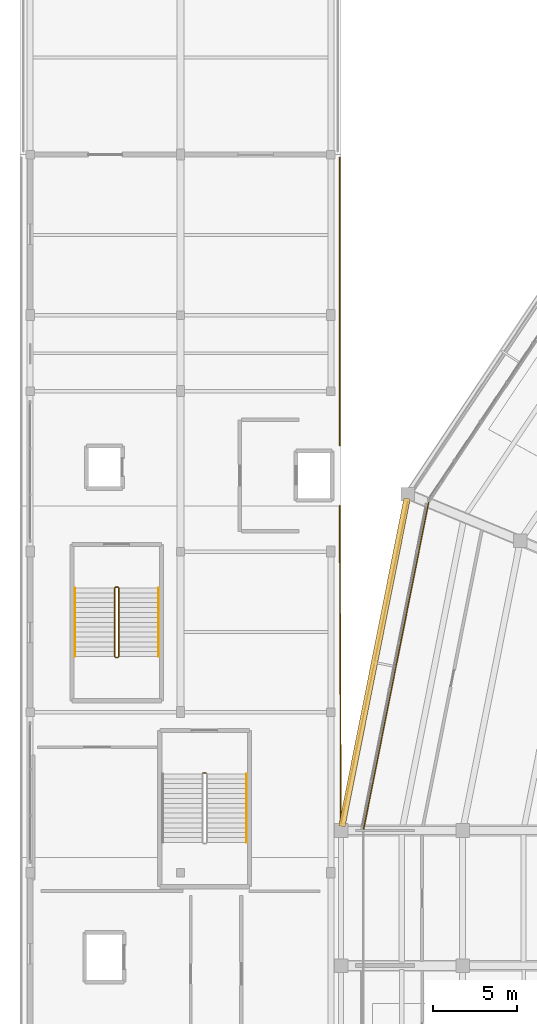
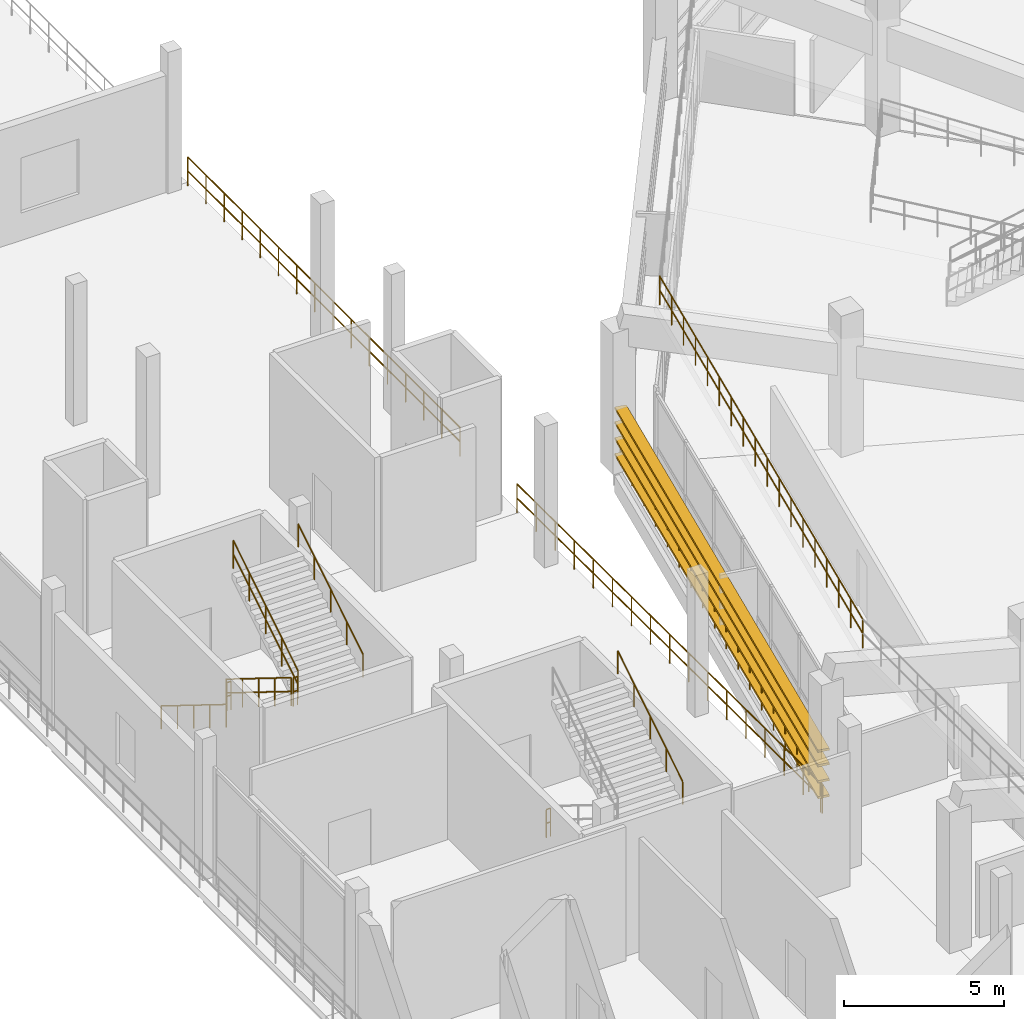
# One storey, part 85 of 96: 12 railings, 4 shading devices.
"""IFC4 building model written with IfcOpenShell, lengths in metres."""

from ifc_helpers import new_model, si_unit, direction, frame, origin, origin_2d, place, context, subcontext, project, spatial, rectangle, circle, extrude, material, layer, layer_set, type_object, element, save


model = new_model("IFC4")

# Units and contexts
model_context = context("Model", 3, precision=1e-05, world=origin(), true_north=direction((0.0, 1.0)))
body_context = subcontext(model_context, "Body", "Model", "MODEL_VIEW")
ifc_project = project(units=[si_unit("LENGTHUNIT", "METRE"), si_unit("AREAUNIT", "SQUARE_METRE"), si_unit("VOLUMEUNIT", "CUBIC_METRE"), si_unit("PLANEANGLEUNIT", "RADIAN"), si_unit("MASSUNIT", "GRAM", prefix="KILO")], contexts=[model_context])

# Site, building, storey
site_placement = place(None, origin())
site = spatial("IfcSite", under=ifc_project, at=site_placement, CompositionType="ELEMENT")
building_placement = place(site_placement, origin())
building = spatial("IfcBuilding", under=site, at=building_placement, Name="Candeia Ridge Stadium", CompositionType="ELEMENT")
storey_placement = place(building_placement, frame((0.0, 0.0, 21.60009765625)))
storey = spatial("IfcBuildingStorey", under=building, at=storey_placement, Name="L04", CompositionType="ELEMENT", Elevation=21.60009765625)

# Railings
ifc_material_1 = material(Name="Galvanized Powder-Coated Steel", Category="steel")
ifc_layer_1 = layer(ifc_material_1, 0.074951171875, Name="Galvanized Powder-Coated Steel", Category="steel")
ifc_layer_set_1 = layer_set([ifc_layer_1], Name="Galvanized Powder-Coated Steel")
railing_type_1 = type_object("IfcRailingType", Name="Spectator Bowl Front Guardrail 1120", PredefinedType="GUARDRAIL", material=ifc_layer_set_1)
railing_1_placement = place(storey_placement, frame((24.177734375, 114.394287109375, 6.0)))
element("IfcRailing", 1, at=railing_1_placement, inside=storey, type_object=railing_type_1, Name="Stand T3 rear safety guardrail bay 11", PredefinedType="GUARDRAIL", context=body_context, shape_type="SweptSolid", body=[
    extrude(circle(Radius=0.02392578125, at=origin_2d()), frame((0.0, 0.0, 1.09619140625), z_axis=(-0.195085576731, -0.980786224287, 0.0), x_axis=(0.980786224287, -0.195085576731, 0.0)), (0.0, 0.0, 1.0), 19.774169921875),
    extrude(circle(Radius=0.02392578125, at=origin_2d()), frame((0.0, 0.0, 0.56005859375), z_axis=(-0.195085576731, -0.980786224287, 0.0), x_axis=(0.980786224287, -0.195085576731, 0.0)), (0.0, 0.0, 1.0), 19.774169921875),
    extrude(circle(Radius=0.02099609375, at=origin_2d()), origin(), (0.0, 0.0, 1.0), 1.072021484375),
    extrude(circle(Radius=0.02099609375, at=origin_2d()), frame((-0.226806640625, -1.140869140625, 0.0)), (0.0, 0.0, 1.0), 1.072021484375),
    extrude(circle(Radius=0.02099609375, at=origin_2d()), frame((-0.453857421875, -2.28173828125, 0.0)), (0.0, 0.0, 1.0), 1.072021484375),
    extrude(circle(Radius=0.02099609375, at=origin_2d()), frame((-0.6806640625, -3.422607421875, 0.0)), (0.0, 0.0, 1.0), 1.072021484375),
    extrude(circle(Radius=0.02099609375, at=origin_2d()), frame((-0.90771484375, -4.5634765625, 0.0)), (0.0, 0.0, 1.0), 1.072021484375),
    extrude(circle(Radius=0.02099609375, at=origin_2d()), frame((-1.134521484375, -5.7041015625, 0.0)), (0.0, 0.0, 1.0), 1.072021484375),
    extrude(circle(Radius=0.02099609375, at=origin_2d()), frame((-1.361572265625, -6.844970703125, 0.0)), (0.0, 0.0, 1.0), 1.072021484375),
    extrude(circle(Radius=0.02099609375, at=origin_2d()), frame((-1.58837890625, -7.98583984375, 0.0)), (0.0, 0.0, 1.0), 1.072021484375),
    extrude(circle(Radius=0.02099609375, at=origin_2d()), frame((-1.8154296875, -9.126708984375, 0.0)), (0.0, 0.0, 1.0), 1.072021484375),
    extrude(circle(Radius=0.02099609375, at=origin_2d()), frame((-2.042236328125, -10.267578125, 0.0)), (0.0, 0.0, 1.0), 1.072021484375),
    extrude(circle(Radius=0.02099609375, at=origin_2d()), frame((-2.269287109375, -11.408447265625, 0.0)), (0.0, 0.0, 1.0), 1.072021484375),
    extrude(circle(Radius=0.02099609375, at=origin_2d()), frame((-2.49609375, -12.54931640625, 0.0)), (0.0, 0.0, 1.0), 1.072021484375),
    extrude(circle(Radius=0.02099609375, at=origin_2d()), frame((-2.72314453125, -13.690185546875, 0.0)), (0.0, 0.0, 1.0), 1.072021484375),
    extrude(circle(Radius=0.02099609375, at=origin_2d()), frame((-2.949951171875, -14.830810546875, 0.0)), (0.0, 0.0, 1.0), 1.072021484375),
    extrude(circle(Radius=0.02099609375, at=origin_2d()), frame((-3.177001953125, -15.9716796875, 0.0)), (0.0, 0.0, 1.0), 1.072021484375),
    extrude(circle(Radius=0.02099609375, at=origin_2d()), frame((-3.40380859375, -17.112548828125, 0.0)), (0.0, 0.0, 1.0), 1.072021484375),
    extrude(circle(Radius=0.02099609375, at=origin_2d()), frame((-3.630859375, -18.25341796875, 0.0)), (0.0, 0.0, 1.0), 1.072021484375),
    extrude(circle(Radius=0.02099609375, at=origin_2d()), frame((-3.857666015625, -19.394287109375, 0.0)), (0.0, 0.0, 1.0), 1.072021484375),
])
railing_2_placement = place(storey_placement, frame((18.919921875, 134.830810546875, 0.0)))
element("IfcRailing", 2, at=railing_2_placement, inside=storey, type_object=railing_type_1, Name="Deck edge safety guardrail GR-DE-L04-0187", PredefinedType="GUARDRAIL", context=body_context, shape_type="SweptSolid", body=[
    extrude(circle(Radius=0.02392578125, at=origin_2d()), frame((0.0, 0.0, 1.09619140625), z_axis=(0.0, -1.0, 0.0), x_axis=(1.0, 0.0, 0.0)), (0.0, 0.0, 1.0), 17.0458984375),
    extrude(circle(Radius=0.02392578125, at=origin_2d()), frame((0.0, 0.0, 0.56005859375), z_axis=(0.0, -1.0, 0.0), x_axis=(1.0, 0.0, 0.0)), (0.0, 0.0, 1.0), 17.0458984375),
    extrude(circle(Radius=0.02099609375, at=origin_2d()), origin(), (0.0, 0.0, 1.0), 1.072021484375),
    extrude(circle(Radius=0.02099609375, at=origin_2d()), frame((0.0, -1.136474609375, 0.0)), (0.0, 0.0, 1.0), 1.072021484375),
    extrude(circle(Radius=0.02099609375, at=origin_2d()), frame((0.0, -2.272705078125, 0.0)), (0.0, 0.0, 1.0), 1.072021484375),
    extrude(circle(Radius=0.02099609375, at=origin_2d()), frame((0.0, -3.4091796875, 0.0)), (0.0, 0.0, 1.0), 1.072021484375),
    extrude(circle(Radius=0.02099609375, at=origin_2d()), frame((0.0, -4.545654296875, 0.0)), (0.0, 0.0, 1.0), 1.072021484375),
    extrude(circle(Radius=0.02099609375, at=origin_2d()), frame((0.0, -5.681884765625, 0.0)), (0.0, 0.0, 1.0), 1.072021484375),
    extrude(circle(Radius=0.02099609375, at=origin_2d()), frame((0.0, -6.818359375, 0.0)), (0.0, 0.0, 1.0), 1.072021484375),
    extrude(circle(Radius=0.02099609375, at=origin_2d()), frame((0.0, -7.954833984375, 0.0)), (0.0, 0.0, 1.0), 1.072021484375),
    extrude(circle(Radius=0.02099609375, at=origin_2d()), frame((0.0, -9.091064453125, 0.0)), (0.0, 0.0, 1.0), 1.072021484375),
    extrude(circle(Radius=0.02099609375, at=origin_2d()), frame((0.0, -10.2275390625, 0.0)), (0.0, 0.0, 1.0), 1.072021484375),
    extrude(circle(Radius=0.02099609375, at=origin_2d()), frame((0.0, -11.364013671875, 0.0)), (0.0, 0.0, 1.0), 1.072021484375),
    extrude(circle(Radius=0.02099609375, at=origin_2d()), frame((0.0, -12.500244140625, 0.0)), (0.0, 0.0, 1.0), 1.072021484375),
    extrude(circle(Radius=0.02099609375, at=origin_2d()), frame((0.0, -13.63671875, 0.0)), (0.0, 0.0, 1.0), 1.072021484375),
    extrude(circle(Radius=0.02099609375, at=origin_2d()), frame((0.0, -14.773193359375, 0.0)), (0.0, 0.0, 1.0), 1.072021484375),
    extrude(circle(Radius=0.02099609375, at=origin_2d()), frame((0.0, -15.909423828125, 0.0)), (0.0, 0.0, 1.0), 1.072021484375),
    extrude(circle(Radius=0.02099609375, at=origin_2d()), frame((0.0, -17.0458984375, 0.0)), (0.0, 0.0, 1.0), 1.072021484375),
])
railing_3_placement = place(storey_placement, frame((18.919921875, 114.215087890625, 0.0)))
element("IfcRailing", 3, at=railing_3_placement, inside=storey, type_object=railing_type_1, Name="Deck edge safety guardrail GR-DE-L04-0188", PredefinedType="GUARDRAIL", context=body_context, shape_type="SweptSolid", body=[
    extrude(circle(Radius=0.02392578125, at=origin_2d()), frame((0.0, 0.0, 1.09619140625), z_axis=(0.003807193265, -0.999992752613, 0.0), x_axis=(0.999992752613, 0.003807193265, 0.0)), (0.0, 0.0, 1.0), 18.9814453125),
    extrude(circle(Radius=0.02392578125, at=origin_2d()), frame((0.0, 0.0, 0.56005859375), z_axis=(0.003807193265, -0.999992752613, 0.0), x_axis=(0.999992752613, 0.003807193265, 0.0)), (0.0, 0.0, 1.0), 18.9814453125),
    extrude(circle(Radius=0.02099609375, at=origin_2d()), origin(), (0.0, 0.0, 1.0), 1.072021484375),
    extrude(circle(Radius=0.02099609375, at=origin_2d()), frame((0.00439453125, -1.186279296875, 0.0)), (0.0, 0.0, 1.0), 1.072021484375),
    extrude(circle(Radius=0.02099609375, at=origin_2d()), frame((0.009033203125, -2.37255859375, 0.0)), (0.0, 0.0, 1.0), 1.072021484375),
    extrude(circle(Radius=0.02099609375, at=origin_2d()), frame((0.013671875, -3.55908203125, 0.0)), (0.0, 0.0, 1.0), 1.072021484375),
    extrude(circle(Radius=0.02099609375, at=origin_2d()), frame((0.01806640625, -4.745361328125, 0.0)), (0.0, 0.0, 1.0), 1.072021484375),
    extrude(circle(Radius=0.02099609375, at=origin_2d()), frame((0.0224609375, -5.931640625, 0.0)), (0.0, 0.0, 1.0), 1.072021484375),
    extrude(circle(Radius=0.02099609375, at=origin_2d()), frame((0.027099609375, -7.117919921875, 0.0)), (0.0, 0.0, 1.0), 1.072021484375),
    extrude(circle(Radius=0.02099609375, at=origin_2d()), frame((0.03173828125, -8.30419921875, 0.0)), (0.0, 0.0, 1.0), 1.072021484375),
    extrude(circle(Radius=0.02099609375, at=origin_2d()), frame((0.0361328125, -9.49072265625, 0.0)), (0.0, 0.0, 1.0), 1.072021484375),
    extrude(circle(Radius=0.02099609375, at=origin_2d()), frame((0.04052734375, -10.677001953125, 0.0)), (0.0, 0.0, 1.0), 1.072021484375),
    extrude(circle(Radius=0.02099609375, at=origin_2d()), frame((0.045166015625, -11.86328125, 0.0)), (0.0, 0.0, 1.0), 1.072021484375),
    extrude(circle(Radius=0.02099609375, at=origin_2d()), frame((0.0498046875, -13.049560546875, 0.0)), (0.0, 0.0, 1.0), 1.072021484375),
    extrude(circle(Radius=0.02099609375, at=origin_2d()), frame((0.05419921875, -14.23583984375, 0.0)), (0.0, 0.0, 1.0), 1.072021484375),
    extrude(circle(Radius=0.02099609375, at=origin_2d()), frame((0.05859375, -15.422119140625, 0.0)), (0.0, 0.0, 1.0), 1.072021484375),
    extrude(circle(Radius=0.02099609375, at=origin_2d()), frame((0.063232421875, -16.608642578125, 0.0)), (0.0, 0.0, 1.0), 1.072021484375),
    extrude(circle(Radius=0.02099609375, at=origin_2d()), frame((0.06787109375, -17.794921875, 0.0)), (0.0, 0.0, 1.0), 1.072021484375),
    extrude(circle(Radius=0.02099609375, at=origin_2d()), frame((0.072265625, -18.981201171875, 0.0)), (0.0, 0.0, 1.0), 1.072021484375),
])
railing_4_placement = place(storey_placement, frame((18.982666015625, 95.3232421875, 0.0)))
element("IfcRailing", 4, at=railing_4_placement, inside=storey, type_object=railing_type_1, Name="Deck edge safety guardrail GR-DE-L04-0189", PredefinedType="GUARDRAIL", context=body_context, shape_type="SweptSolid", body=[
    extrude(circle(Radius=0.02392578125, at=origin_2d()), frame((0.0, 0.0, 1.09619140625), z_axis=(0.202662673924, 0.97924861021, 0.0), x_axis=(-0.97924861021, 0.202662673924, 0.0)), (0.0, 0.0, 1.0), 19.945556640625),
    extrude(circle(Radius=0.02392578125, at=origin_2d()), frame((0.0, 0.0, 0.56005859375), z_axis=(0.202662673924, 0.97924861021, 0.0), x_axis=(-0.97924861021, 0.202662673924, 0.0)), (0.0, 0.0, 1.0), 19.945556640625),
    extrude(circle(Radius=0.02099609375, at=origin_2d()), origin(), (0.0, 0.0, 1.0), 1.072021484375),
    extrude(circle(Radius=0.02099609375, at=origin_2d()), frame((0.23779296875, 1.14892578125, 0.0)), (0.0, 0.0, 1.0), 1.072021484375),
    extrude(circle(Radius=0.02099609375, at=origin_2d()), frame((0.4755859375, 2.2978515625, 0.0)), (0.0, 0.0, 1.0), 1.072021484375),
    extrude(circle(Radius=0.02099609375, at=origin_2d()), frame((0.71337890625, 3.44677734375, 0.0)), (0.0, 0.0, 1.0), 1.072021484375),
    extrude(circle(Radius=0.02099609375, at=origin_2d()), frame((0.951171875, 4.595703125, 0.0)), (0.0, 0.0, 1.0), 1.072021484375),
    extrude(circle(Radius=0.02099609375, at=origin_2d()), frame((1.18896484375, 5.74462890625, 0.0)), (0.0, 0.0, 1.0), 1.072021484375),
    extrude(circle(Radius=0.02099609375, at=origin_2d()), frame((1.4267578125, 6.8935546875, 0.0)), (0.0, 0.0, 1.0), 1.072021484375),
    extrude(circle(Radius=0.02099609375, at=origin_2d()), frame((1.66455078125, 8.04248046875, 0.0)), (0.0, 0.0, 1.0), 1.072021484375),
    extrude(circle(Radius=0.02099609375, at=origin_2d()), frame((1.90234375, 9.19140625, 0.0)), (0.0, 0.0, 1.0), 1.072021484375),
    extrude(circle(Radius=0.02099609375, at=origin_2d()), frame((2.139892578125, 10.34033203125, 0.0)), (0.0, 0.0, 1.0), 1.072021484375),
    extrude(circle(Radius=0.02099609375, at=origin_2d()), frame((2.377685546875, 11.4892578125, 0.0)), (0.0, 0.0, 1.0), 1.072021484375),
    extrude(circle(Radius=0.02099609375, at=origin_2d()), frame((2.615478515625, 12.63818359375, 0.0)), (0.0, 0.0, 1.0), 1.072021484375),
    extrude(circle(Radius=0.02099609375, at=origin_2d()), frame((2.853271484375, 13.787109375, 0.0)), (0.0, 0.0, 1.0), 1.072021484375),
    extrude(circle(Radius=0.02099609375, at=origin_2d()), frame((3.091064453125, 14.93603515625, 0.0)), (0.0, 0.0, 1.0), 1.072021484375),
    extrude(circle(Radius=0.02099609375, at=origin_2d()), frame((3.328857421875, 16.0849609375, 0.0)), (0.0, 0.0, 1.0), 1.072021484375),
    extrude(circle(Radius=0.02099609375, at=origin_2d()), frame((3.566650390625, 17.23388671875, 0.0)), (0.0, 0.0, 1.0), 1.072021484375),
    extrude(circle(Radius=0.02099609375, at=origin_2d()), frame((3.804443359375, 18.3828125, 0.0)), (0.0, 0.0, 1.0), 1.072021484375),
    extrude(circle(Radius=0.02099609375, at=origin_2d()), frame((4.042236328125, 19.53173828125, 0.0)), (0.0, 0.0, 1.0), 1.072021484375),
])
ifc_material_2 = material(Name="Brushed Stainless Steel", Category="steel")
ifc_layer_2 = layer(ifc_material_2, 0.048095703125, Name="Brushed Stainless Steel", Category="steel")
ifc_layer_set_2 = layer_set([ifc_layer_2], Name="Brushed Stainless Steel")
railing_type_2 = type_object("IfcRailingType", Name="Stair Wall & Flight Handrail 900", PredefinedType="HANDRAIL", material=ifc_layer_set_2)
railing_5_placement = place(storey_placement, frame((3.25, 109.35009765625, 0.179931640625)))
element("IfcRailing", 5, at=railing_5_placement, inside=storey, type_object=railing_type_2, Name="L04 ST06 stair handrail 1", PredefinedType="HANDRAIL", context=body_context, shape_type="SweptSolid", body=[
    extrude(circle(Radius=0.02392578125, at=origin_2d()), frame((0.0, 0.0, 0.8759765625), z_axis=(0.0, -0.849641744969, 0.527360318194), x_axis=(1.0, 0.0, 0.0)), (0.0, 0.0, 1.0), 4.778564453125),
    extrude(circle(Radius=0.02099609375, at=origin_2d()), origin(), (0.0, 0.0, 1.0), 0.851806640625),
    extrude(circle(Radius=0.02099609375, at=origin_2d()), frame((0.0, -1.01513671875, 0.6298828125)), (0.0, 0.0, 1.0), 0.851806640625),
    extrude(circle(Radius=0.02099609375, at=origin_2d()), frame((0.0, -2.030029296875, 1.260009765625)), (0.0, 0.0, 1.0), 0.851806640625),
    extrude(circle(Radius=0.02099609375, at=origin_2d()), frame((0.0, -3.044921875, 1.89013671875)), (0.0, 0.0, 1.0), 0.851806640625),
    extrude(circle(Radius=0.02099609375, at=origin_2d()), frame((0.0, -4.06005859375, 2.52001953125)), (0.0, 0.0, 1.0), 0.851806640625),
])
for number, where, name in (
    (6, (8.199951171875, 105.2900390625, 2.8798828125), "L04 ST06 stair handrail 2"),
    (7, (13.39990234375, 94.2900390625, 2.8798828125), "L04 ST08 stair handrail 2"),
):
    element("IfcRailing", number, at=place(storey_placement, frame(where)), inside=storey, type_object=railing_type_2, Name=name, PredefinedType="HANDRAIL", context=body_context, shape_type="SweptSolid", body=[
        extrude(circle(Radius=0.02392578125, at=origin_2d()), frame((0.0, 0.0, 0.8759765625), z_axis=(0.0, 0.849641744969, 0.527360318194), x_axis=(-1.0, 0.0, 0.0)), (0.0, 0.0, 1.0), 4.778564453125),
        extrude(circle(Radius=0.02099609375, at=origin_2d()), origin(), (0.0, 0.0, 1.0), 0.851806640625),
        extrude(circle(Radius=0.02099609375, at=origin_2d()), frame((0.0, 1.01513671875, 0.6298828125)), (0.0, 0.0, 1.0), 0.851806640625),
        extrude(circle(Radius=0.02099609375, at=origin_2d()), frame((0.0, 2.030029296875, 1.260009765625)), (0.0, 0.0, 1.0), 0.851806640625),
        extrude(circle(Radius=0.02099609375, at=origin_2d()), frame((0.0, 3.044921875, 1.89013671875)), (0.0, 0.0, 1.0), 0.851806640625),
        extrude(circle(Radius=0.02099609375, at=origin_2d()), frame((0.0, 4.06005859375, 2.52001953125)), (0.0, 0.0, 1.0), 0.851806640625),
    ])
ifc_layer_3 = layer(ifc_material_1, 0.06005859375, Name="Galvanized Powder-Coated Steel", Category="steel")
ifc_layer_set_3 = layer_set([ifc_layer_3], Name="Galvanized Powder-Coated Steel")
railing_type_3 = type_object("IfcRailingType", Name="Stair Well Guardrail 1100", PredefinedType="GUARDRAIL", material=ifc_layer_set_3)
railing_6_placement = place(storey_placement, frame((5.60009765625, 109.35009765625, 0.179931640625)))
element("IfcRailing", 8, at=railing_6_placement, inside=storey, type_object=railing_type_3, Name="L04 ST06 stair guard 1", PredefinedType="GUARDRAIL", context=body_context, shape_type="SweptSolid", body=[
    extrude(circle(Radius=0.02392578125, at=origin_2d()), frame((0.0, 0.0, 1.076171875), z_axis=(0.0, -0.849641744969, 0.527360318194), x_axis=(1.0, 0.0, 0.0)), (0.0, 0.0, 1.0), 4.778564453125),
    extrude(circle(Radius=0.02392578125, at=origin_2d()), frame((0.0, 0.0, 0.550048828125), z_axis=(0.0, -0.849641744969, 0.527360318194), x_axis=(1.0, 0.0, 0.0)), (0.0, 0.0, 1.0), 4.778564453125),
    extrude(circle(Radius=0.02099609375, at=origin_2d()), origin(), (0.0, 0.0, 1.0), 1.052001953125),
    extrude(circle(Radius=0.02099609375, at=origin_2d()), frame((0.0, -1.01513671875, 0.6298828125)), (0.0, 0.0, 1.0), 1.052001953125),
    extrude(circle(Radius=0.02099609375, at=origin_2d()), frame((0.0, -2.030029296875, 1.260009765625)), (0.0, 0.0, 1.0), 1.052001953125),
    extrude(circle(Radius=0.02099609375, at=origin_2d()), frame((0.0, -3.044921875, 1.89013671875)), (0.0, 0.0, 1.0), 1.052001953125),
    extrude(circle(Radius=0.02099609375, at=origin_2d()), frame((0.0, -4.06005859375, 2.52001953125)), (0.0, 0.0, 1.0), 1.052001953125),
])
railing_7_placement = place(storey_placement, frame((5.64990234375, 105.239990234375, 2.699951171875)))
element("IfcRailing", 9, at=railing_7_placement, inside=storey, type_object=railing_type_3, Name="L04 ST06 stair guard 2", PredefinedType="GUARDRAIL", context=body_context, shape_type="SweptSolid", body=[
    extrude(circle(Radius=0.02392578125, at=origin_2d()), frame((0.0, 0.0, 1.076171875), z_axis=(1.0, 0.0, 0.0), x_axis=(0.0, 1.0, 0.0)), (0.0, 0.0, 1.0), 0.150146484375),
    extrude(circle(Radius=0.02392578125, at=origin_2d()), frame((0.0, 0.0, 0.550048828125), z_axis=(1.0, 0.0, 0.0), x_axis=(0.0, 1.0, 0.0)), (0.0, 0.0, 1.0), 0.150146484375),
    extrude(circle(Radius=0.02099609375, at=origin_2d()), origin(), (0.0, 0.0, 1.0), 1.052001953125),
    extrude(circle(Radius=0.02099609375, at=origin_2d()), frame((0.150146484375, 0.0, 0.0)), (0.0, 0.0, 1.0), 1.052001953125),
])
railing_8_placement = place(storey_placement, frame((5.85009765625, 105.2900390625, 2.8798828125)))
element("IfcRailing", 10, at=railing_8_placement, inside=storey, type_object=railing_type_3, Name="L04 ST06 stair guard 3", PredefinedType="GUARDRAIL", context=body_context, shape_type="SweptSolid", body=[
    extrude(circle(Radius=0.02392578125, at=origin_2d()), frame((0.0, 0.0, 1.076171875), z_axis=(0.0, 0.849641744969, 0.527360318194), x_axis=(-1.0, 0.0, 0.0)), (0.0, 0.0, 1.0), 4.778564453125),
    extrude(circle(Radius=0.02392578125, at=origin_2d()), frame((0.0, 0.0, 0.550048828125), z_axis=(0.0, 0.849641744969, 0.527360318194), x_axis=(-1.0, 0.0, 0.0)), (0.0, 0.0, 1.0), 4.778564453125),
    extrude(circle(Radius=0.02099609375, at=origin_2d()), origin(), (0.0, 0.0, 1.0), 1.052001953125),
    extrude(circle(Radius=0.02099609375, at=origin_2d()), frame((0.0, 1.01513671875, 0.6298828125)), (0.0, 0.0, 1.0), 1.052001953125),
    extrude(circle(Radius=0.02099609375, at=origin_2d()), frame((0.0, 2.030029296875, 1.260009765625)), (0.0, 0.0, 1.0), 1.052001953125),
    extrude(circle(Radius=0.02099609375, at=origin_2d()), frame((0.0, 3.044921875, 1.89013671875)), (0.0, 0.0, 1.0), 1.052001953125),
    extrude(circle(Radius=0.02099609375, at=origin_2d()), frame((0.0, 4.06005859375, 2.52001953125)), (0.0, 0.0, 1.0), 1.052001953125),
])
railing_9_placement = place(storey_placement, frame((5.64990234375, 109.39990234375, 0.0)))
element("IfcRailing", 11, at=railing_9_placement, inside=storey, type_object=railing_type_3, Name="L04 ST06 stair guard 4", PredefinedType="GUARDRAIL", context=body_context, shape_type="SweptSolid", body=[
    extrude(circle(Radius=0.02392578125, at=origin_2d()), frame((0.0, 0.0, 1.076171875), z_axis=(1.0, 0.0, 0.0), x_axis=(0.0, 1.0, 0.0)), (0.0, 0.0, 1.0), 0.150146484375),
    extrude(circle(Radius=0.02392578125, at=origin_2d()), frame((0.0, 0.0, 0.550048828125), z_axis=(1.0, 0.0, 0.0), x_axis=(0.0, 1.0, 0.0)), (0.0, 0.0, 1.0), 0.150146484375),
    extrude(circle(Radius=0.02099609375, at=origin_2d()), origin(), (0.0, 0.0, 1.0), 1.052001953125),
    extrude(circle(Radius=0.02099609375, at=origin_2d()), frame((0.150146484375, 0.0, 0.0)), (0.0, 0.0, 1.0), 1.052001953125),
])
railing_10_placement = place(storey_placement, frame((10.85009765625, 98.39990234375, 0.0)))
element("IfcRailing", 12, at=railing_10_placement, inside=storey, type_object=railing_type_3, Name="L04 ST08 stair guard 4", PredefinedType="GUARDRAIL", context=body_context, shape_type="SweptSolid", body=[
    extrude(circle(Radius=0.02392578125, at=origin_2d()), frame((0.0, 0.0, 1.076171875), z_axis=(1.0, 0.0, 0.0), x_axis=(0.0, 1.0, 0.0)), (0.0, 0.0, 1.0), 0.14990234375),
    extrude(circle(Radius=0.02392578125, at=origin_2d()), frame((0.0, 0.0, 0.550048828125), z_axis=(1.0, 0.0, 0.0), x_axis=(0.0, 1.0, 0.0)), (0.0, 0.0, 1.0), 0.14990234375),
    extrude(circle(Radius=0.02099609375, at=origin_2d()), origin(), (0.0, 0.0, 1.0), 1.052001953125),
    extrude(circle(Radius=0.02099609375, at=origin_2d()), frame((0.14990234375, 0.0, 0.0)), (0.0, 0.0, 1.0), 1.052001953125),
])

# Shading devices
ifc_material_3 = material(Name="Aluminium Anodized Warm Bronze", Category="aluminium")
shading_device_type = type_object("IfcShadingDeviceType", Name="Weathered Bronze Horizontal Solar Rib 380x85", PredefinedType="JALOUSIE", material=ifc_material_3)
for number, where, z_axis, x_axis, name in (
    (13, (20.979248046875, 104.94970703125, 0.5673828125), (0.0, 0.0, 1.0), (-0.195090311899, -0.980785282416, 0.0), "Weathered bronze horizontal solar rib L04 bay 11-1"),
    (14, (20.979248046875, 104.94970703125, 1.17724609375), (0.0, 0.0, 1.0), (-0.195090311899, -0.980785282416, 0.0), "Weathered bronze horizontal solar rib L04 bay 11-2"),
    (15, (20.979248046875, 104.94970703125, 1.787109375), (0.0, 0.0, 1.0), (-0.195090311899, -0.980785282416, 0.0), "Weathered bronze horizontal solar rib L04 bay 11-3"),
    (16, (20.979248046875, 104.94970703125, 2.341552734375), (0.0, 0.0, 1.0), (-0.195090311899, -0.980785282416, 0.0), "Weathered bronze horizontal solar rib L04 bay 11-4"),
):
    element("IfcShadingDevice", number, at=place(storey_placement, frame(where, z_axis=z_axis, x_axis=x_axis)), inside=storey, type_object=shading_device_type, Name=name, PredefinedType="JALOUSIE", context=body_context, shape_type="SweptSolid", body=[
        extrude(rectangle(XDim=19.789306640625, YDim=0.3798828125, at=origin_2d()), origin(), (0.0, 0.0, 1.0), 0.0849609375),
    ])

save(model, "model.ifc")
